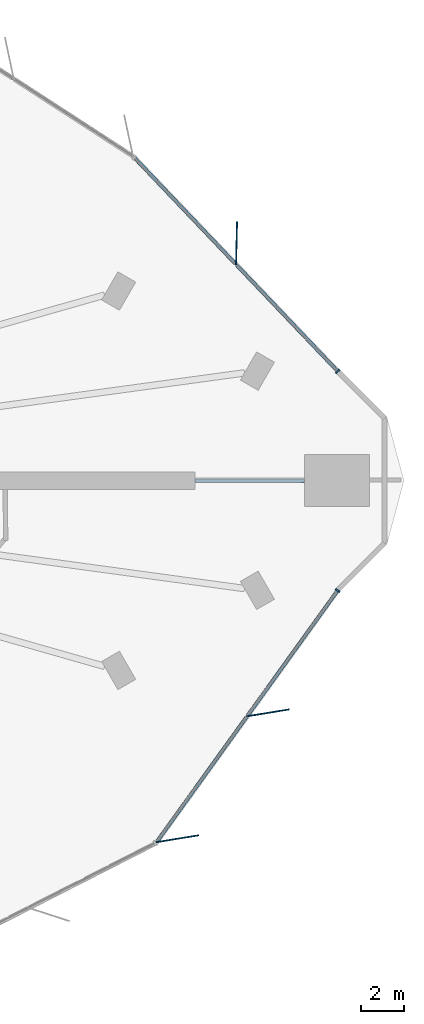
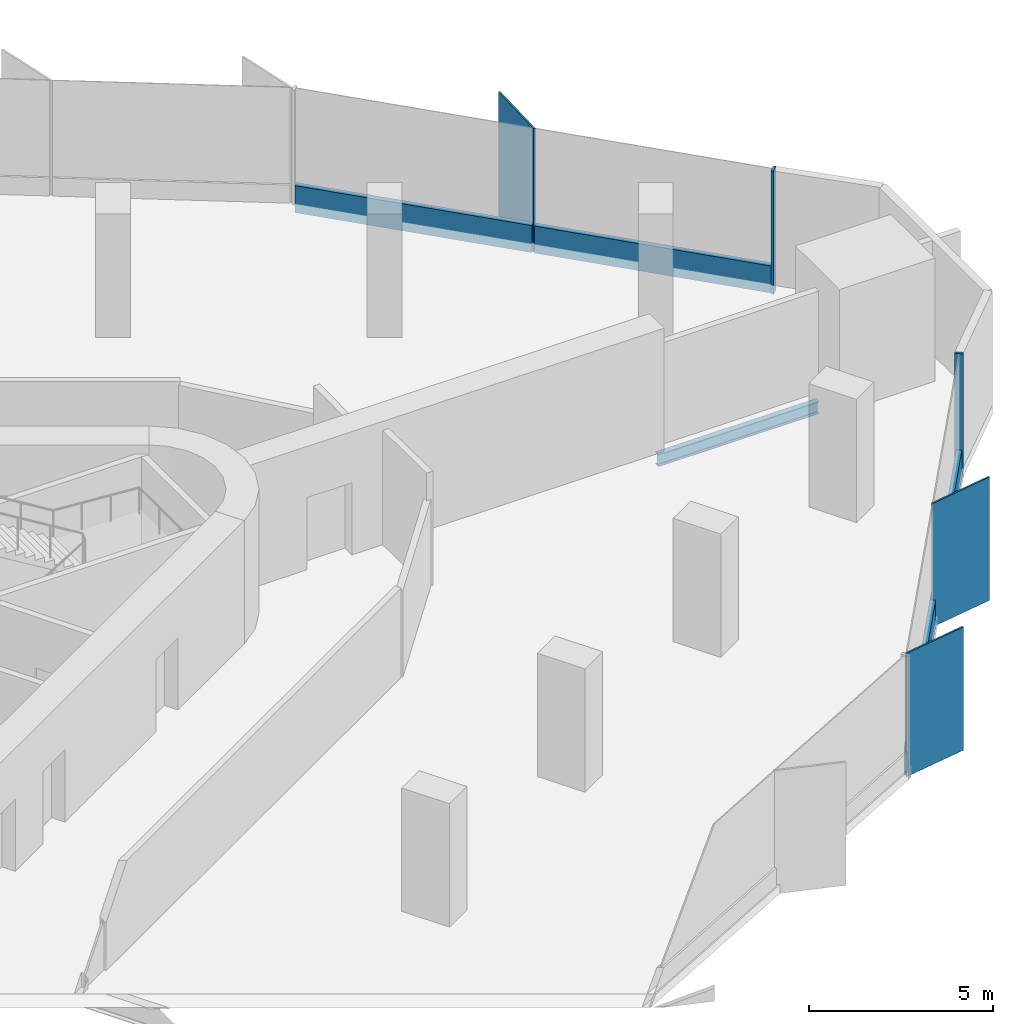
# One storey, part 6 of 14: 9 members, 1 beam, 2 elements without a shape of their own.
"""IFC4 building model written with IfcOpenShell, lengths in metres."""

import ifcopenshell
import ifcopenshell.guid

model = None  # the IFC model being written
_history = None  # IfcOwnerHistory: only IFC2X3 demands one
_inside = {}  # id of a spatial element -> (the spatial element, [elements in it])
_under = {}  # id of a project, library or spatial element -> (it, [spatial elements below it])
_declared = {}  # id of a project -> (the project, [libraries it declares])
_typed = {}  # id of a type object -> (the type object, [elements of that type])
_made_of = {}  # id of a material, layer set ... -> (it, [elements and type objects made of it])


def new_model(schema):
    """Start an empty IFC model of exactly this schema.

    Asked for "IFC4X3", IfcOpenShell would pick the latest addendum, in which some entities
    have other attributes; the version numbers below select the first issue.
    IFC2X3 requires an IfcOwnerHistory on every rooted entity: one is made here for all.
    """
    global model, _history
    if schema == "IFC4X3":
        model = ifcopenshell.file(schema_version=(4, 3, 0, 0))
    else:
        model = ifcopenshell.file(schema=schema)
    _inside.clear()
    _under.clear()
    _declared.clear()
    _typed.clear()
    _made_of.clear()
    _history = None
    if model.schema == "IFC2X3":
        org = make("IfcOrganization", Name="unknown")
        user = make(
            "IfcPersonAndOrganization",
            ThePerson=make("IfcPerson", FamilyName="unknown"),
            TheOrganization=org,
        )
        app = make(
            "IfcApplication",
            ApplicationDeveloper=org,
            Version="unknown",
            ApplicationFullName="unknown",
            ApplicationIdentifier="unknown",
        )
        _history = make(
            "IfcOwnerHistory",
            OwningUser=user,
            OwningApplication=app,
            ChangeAction="ADDED",
            CreationDate=0,
        )
    return model


def make(cls, **values):
    """One entity of the class cls with the attributes given. An attribute that is None is left unset."""
    return model.create_entity(
        cls, **{name: value for name, value in values.items() if value is not None}
    )


def rooted(cls, **values):
    """An entity with a GlobalId (a new one), such as an element, a storey or a relation."""
    return make(cls, GlobalId=ifcopenshell.guid.new(), OwnerHistory=_history, **values)


def si_unit(unit_type, name, prefix=None):
    """IfcSIUnit, for example si_unit("LENGTHUNIT", "METRE", prefix="MILLI")."""
    return make("IfcSIUnit", UnitType=unit_type, Prefix=prefix, Name=name)


def assignment(units):
    """IfcUnitAssignment: the units of a project."""
    return None if units is None else make("IfcUnitAssignment", Units=units)


def point(xyz):
    """IfcCartesianPoint."""
    return None if xyz is None else make("IfcCartesianPoint", Coordinates=xyz)


def direction(xyz):
    """IfcDirection."""
    return None if xyz is None else make("IfcDirection", DirectionRatios=xyz)


def frame(location, z_axis=None, x_axis=None):
    """IfcAxis2Placement3D, a coordinate frame: its origin and axes. An axis left out is left unset."""
    return make(
        "IfcAxis2Placement3D",
        Location=point(location),
        Axis=direction(z_axis),
        RefDirection=direction(x_axis),
    )


def frame_2d(location, x_axis=None):
    """IfcAxis2Placement2D, a coordinate frame in the plane: its origin and x axis."""
    return make(
        "IfcAxis2Placement2D", Location=point(location), RefDirection=direction(x_axis)
    )


def origin():
    """The frame at (0, 0, 0) with its axes left unset."""
    return frame((0.0, 0.0, 0.0))


def origin_2d():
    """The frame at (0, 0) in the plane with its x axis left unset."""
    return frame_2d((0.0, 0.0))


def place(relative_to, where):
    """IfcLocalPlacement: puts the frame where relative to a parent placement (None: the world)."""
    return make(
        "IfcLocalPlacement", PlacementRelTo=relative_to, RelativePlacement=where
    )


def context(
    kind, dimensions, precision=None, world=None, true_north=None, identifier=None
):
    """IfcGeometricRepresentationContext, for example the 3D "Model" context."""
    return make(
        "IfcGeometricRepresentationContext",
        ContextIdentifier=identifier,
        ContextType=kind,
        CoordinateSpaceDimension=dimensions,
        Precision=precision,
        WorldCoordinateSystem=world,
        TrueNorth=true_north,
    )


def subcontext(parent, identifier, kind, view, scale=None):
    """IfcGeometricRepresentationSubContext, for example "Body" below "Model"."""
    return make(
        "IfcGeometricRepresentationSubContext",
        ContextIdentifier=identifier,
        ContextType=kind,
        ParentContext=parent,
        TargetScale=scale,
        TargetView=view,
    )


def project(units=None, contexts=None):
    """IfcProject with its units and contexts."""
    return rooted(
        "IfcProject",
        Name="project",
        RepresentationContexts=contexts,
        UnitsInContext=assignment(units),
    )


def spatial(cls, under=None, at=None, **own):
    """A site, building, storey or space (cls), placed at a placement, below another one or the project."""
    s = rooted(cls, ObjectPlacement=at, **own)
    if under is not None:
        _under.setdefault(under.id(), (under, []))[1].append(s)
    return s


def profile(cls, at=None, kind="AREA", **sizes):
    """A parametric profile (cls). Its sizes go by their IFC names, for example OverallWidth=200.0."""
    return make(cls, ProfileType=kind, Position=at, **sizes)


def rectangle(**sizes):
    """IfcRectangleProfileDef."""
    return profile("IfcRectangleProfileDef", **sizes)


def i_section(**sizes):
    """IfcIShapeProfileDef."""
    return profile("IfcIShapeProfileDef", **sizes)


def extrude(swept, where, along, depth):
    """IfcExtrudedAreaSolid: the profile swept, set in the frame where, extruded along a direction by depth."""
    return make(
        "IfcExtrudedAreaSolid",
        SweptArea=swept,
        Position=where,
        ExtrudedDirection=direction(along),
        Depth=depth,
    )


def shape(context_of_items, identifier, shape_type, items):
    """IfcShapeRepresentation: the items that make up one representation, for example the "Body"."""
    return make(
        "IfcShapeRepresentation",
        ContextOfItems=context_of_items,
        RepresentationIdentifier=identifier,
        RepresentationType=shape_type,
        Items=items,
    )


def material(Name=None, Category=None):
    """IfcMaterial."""
    return make("IfcMaterial", Name=Name, Category=Category)


def material_profile(
    of_material, cross_section, Name=None, Category=None, Priority=None
):
    """IfcMaterialProfile: a cross section and its material."""
    return make(
        "IfcMaterialProfile",
        Name=Name,
        Material=of_material,
        Profile=cross_section,
        Priority=Priority,
        Category=Category,
    )


def profile_set(profiles, Name=None, composite=None):
    """IfcMaterialProfileSet."""
    return make(
        "IfcMaterialProfileSet",
        Name=Name,
        MaterialProfiles=profiles,
        CompositeProfile=composite,
    )


def made_of(thing, what):
    """Note that an element or type object is made of a material, layer set ...; save() writes the relation."""
    if what is not None:
        _made_of.setdefault(what.id(), (what, []))[1].append(thing)
    return thing


def type_object(cls, material=None, **own):
    """A type object (cls), such as IfcWallType, which elements share."""
    return made_of(rooted(cls, **own), material)


def element(
    cls,
    number,
    at=None,
    inside=None,
    cuts=None,
    type_object=None,
    material=None,
    context=None,
    identifier="Body",
    shape_type=None,
    held_by="IfcProductDefinitionShape",
    body=None,
    shapes=None,
    **own,
):
    """One element of the class cls, such as IfcWall. Its Tag is "e" and its number.

    at: its placement. inside: the storey or other place that contains it. cuts: it is an
    opening in that element (IfcRelVoidsElement). A single representation is given by context,
    identifier, shape_type and body (its items); several are given by shapes. held_by: the class
    of the entity that holds the representations. save() writes the other relations.
    """
    e = rooted(cls, Tag="e%d" % number, ObjectPlacement=at, **own)
    if body is not None:
        shapes = [shape(context, identifier, shape_type, body)]
    if shapes is not None:
        e.Representation = make(held_by, Representations=shapes)
    if inside is not None:
        _inside.setdefault(inside.id(), (inside, []))[1].append(e)
    if cuts is not None:
        rooted(
            "IfcRelVoidsElement", RelatingBuildingElement=cuts, RelatedOpeningElement=e
        )
    if type_object is not None:
        _typed.setdefault(type_object.id(), (type_object, []))[1].append(e)
    return made_of(e, material)


def aggregate(whole, parts):
    """IfcRelAggregates: a whole, such as a stair, and the parts it consists of."""
    return rooted("IfcRelAggregates", RelatingObject=whole, RelatedObjects=parts)


def save(model, path):
    """Write the relations noted so far, then the file.

    IfcRelAggregates (storeys below a building ...), IfcRelContainedInSpatialStructure (elements
    in a storey), IfcRelDefinesByType, IfcRelAssociatesMaterial and IfcRelDeclares: one each for
    every whole, place, type object, material and project.
    """
    for whole, parts in _under.values():
        aggregate(whole, parts)
    for where, things in _inside.values():
        rooted(
            "IfcRelContainedInSpatialStructure",
            RelatedElements=things,
            RelatingStructure=where,
        )
    for kind, things in _typed.values():
        rooted("IfcRelDefinesByType", RelatedObjects=things, RelatingType=kind)
    for what, things in _made_of.values():
        rooted("IfcRelAssociatesMaterial", RelatedObjects=things, RelatingMaterial=what)
    for by, libraries in _declared.values():
        rooted("IfcRelDeclares", RelatingContext=by, RelatedDefinitions=libraries)
    model.write(path)


model = new_model("IFC4")

# Units and contexts
model_context = context("Model", 3, precision=1e-05, world=origin(), true_north=direction((0.0, 1.0)))
body_context = subcontext(model_context, "Body", "Model", "MODEL_VIEW")
ifc_project = project(units=[si_unit("LENGTHUNIT", "METRE"), si_unit("AREAUNIT", "SQUARE_METRE"), si_unit("VOLUMEUNIT", "CUBIC_METRE"), si_unit("PLANEANGLEUNIT", "RADIAN"), si_unit("MASSUNIT", "GRAM", prefix="KILO")], contexts=[model_context])

# Site, building, storey
site_placement = place(None, origin())
site = spatial("IfcSite", under=ifc_project, at=site_placement, CompositionType="ELEMENT")
building_placement = place(site_placement, origin())
building = spatial("IfcBuilding", under=site, at=building_placement, Name="Tanit Gate Tower", CompositionType="ELEMENT")
storey_placement = place(building_placement, frame((0.0, 0.0, 111.10009765625)))
storey = spatial("IfcBuildingStorey", under=building, at=storey_placement, Name="L23", CompositionType="ELEMENT", Elevation=111.10009765625)

# Curtain wall, member
ifc_material_1 = material(Name="Aluminium bronze anodised and glass", Category="aluminium")
curtain_wall_type = type_object("IfcCurtainWallType", Name="Curtain wall typical low", PredefinedType="NOTDEFINED", material=ifc_material_1)
curtain_wall_1_placement = place(storey_placement, origin())
curtain_wall_1 = element("IfcCurtainWall", 1, at=curtain_wall_1_placement, inside=storey, type_object=curtain_wall_type, Name="Curtain wall L23 NE1", PredefinedType="NOTDEFINED")
ifc_material_2 = material(Name="Aluminium bronze anodised", Category="aluminium")
ifc_material_profile_1 = material_profile(ifc_material_2, rectangle(XDim=2.0, YDim=0.055908203125, at=origin_2d()), Name="56x2000 bronze fin mullion")
ifc_profile_set_1 = profile_set([ifc_material_profile_1], Name="Aluminium bronze anodised")
member_type_1 = type_object("IfcMemberType", Name="FIN MULLION 56x2000 bronze", PredefinedType="MULLION", material=ifc_profile_set_1)
member_1_placement = place(storey_placement, frame((36.09619140625, 10.9541015625, -0.300048828125), z_axis=(0.0, 0.0, 1.0), x_axis=(-0.024623071123, -0.999696806221, 0.0)))
member_1 = element("IfcMember", 2, at=member_1_placement, type_object=member_type_1, Name="Fin mullion L23 NE1.2", PredefinedType="MULLION", context=body_context, shape_type="SweptSolid", body=[
    extrude(rectangle(XDim=2.0, YDim=0.055908203125, at=origin_2d()), origin(), (0.0, 0.0, 1.0), 4.099853515625),
])

# Curtain wall, members
curtain_wall_2_placement = place(storey_placement, origin())
curtain_wall_2 = element("IfcCurtainWall", 3, at=curtain_wall_2_placement, inside=storey, type_object=curtain_wall_type, Name="Curtain wall L23 SE3", PredefinedType="NOTDEFINED")
member_2_placement = place(storey_placement, frame((33.36572265625, -16.519775390625, -0.300048828125), z_axis=(0.0, 0.0, 1.0), x_axis=(-0.986959384156, -0.160969481659, 0.0)))
member_2 = element("IfcMember", 4, at=member_2_placement, type_object=member_type_1, Name="Fin mullion L23 SE3.1", PredefinedType="MULLION", context=body_context, shape_type="SweptSolid", body=[
    extrude(rectangle(XDim=2.0, YDim=0.055908203125, at=origin_2d()), origin(), (0.0, 0.0, 1.0), 4.099853515625),
])
member_3_placement = place(storey_placement, frame((37.54541015625, -10.711181640625, -0.300048828125), z_axis=(0.0, 0.0, 1.0), x_axis=(-0.986959384156, -0.160969481659, 0.0)))
member_3 = element("IfcMember", 5, at=member_3_placement, type_object=member_type_1, Name="Fin mullion L23 SE3.2", PredefinedType="MULLION", context=body_context, shape_type="SweptSolid", body=[
    extrude(rectangle(XDim=2.0, YDim=0.055908203125, at=origin_2d()), origin(), (0.0, 0.0, 1.0), 4.099853515625),
])

# Member
ifc_material_3 = material(Name="Aluminium bronze anodised", Category="aluminium")
ifc_material_profile_2 = material_profile(ifc_material_3, rectangle(XDim=0.239990234375, YDim=0.080078125, at=origin_2d()), Name="80x240 bronze mullion")
ifc_profile_set_2 = profile_set([ifc_material_profile_2], Name="Aluminium bronze anodised")
member_type_2 = type_object("IfcMemberType", Name="Mullion 80x240 typical low", PredefinedType="MULLION", material=ifc_profile_set_2)
member_4_placement = place(storey_placement, frame((40.76220703125, 5.05029296875, -0.300048828125), z_axis=(0.0, 0.0, 1.0), x_axis=(-0.724303531374, -0.689481250245, 0.0)))
member_4 = element("IfcMember", 6, at=member_4_placement, type_object=member_type_2, Name="Mullion L23 NE1.1", PredefinedType="MULLION", context=body_context, shape_type="SweptSolid", body=[
    extrude(rectangle(XDim=0.239990234375, YDim=0.080078125, at=origin_2d()), origin(), (0.0, 0.0, 1.0), 4.099853515625),
])

member_5_placement = place(storey_placement, frame((40.760498046875, -5.059814453125, -0.300048828125), z_axis=(0.0, 0.0, 1.0), x_axis=(-0.811708285338, 0.584063061247, 0.0)))
member_5 = element("IfcMember", 7, at=member_5_placement, type_object=member_type_2, Name="Mullion L23 SE3.3", PredefinedType="MULLION", context=body_context, shape_type="SweptSolid", body=[
    extrude(rectangle(XDim=0.239990234375, YDim=0.080078125, at=origin_2d()), origin(), (0.0, 0.0, 1.0), 4.099853515625),
])

# Beam
ifc_material_4 = material(Name="Steel S355", Category="steel")
ifc_material_profile_3 = material_profile(ifc_material_4, i_section(OverallWidth=0.179931640625, OverallDepth=0.39990234375, WebThickness=0.008544921875, FlangeThickness=0.013427734375, FilletRadius=0.02099609375, at=origin_2d()), Name="IPE 400")
ifc_profile_set_3 = profile_set([ifc_material_profile_3], Name="Steel S355")
beam_type = type_object("IfcBeamType", Name="RADIAL GIRDER IPE 400 S355", PredefinedType="BEAM", material=ifc_profile_set_3)
beam_placement = place(storey_placement, frame((39.22314453125, 0.0, -0.5), z_axis=(-1.0, 0.0, 0.0), x_axis=(0.0, -1.0, 0.0)))
element("IfcBeam", 8, at=beam_placement, inside=storey, type_object=beam_type, Name="RADIAL GIRDER", PredefinedType="BEAM", context=body_context, shape_type="SweptSolid", body=[
    extrude(i_section(OverallWidth=0.179931640625, OverallDepth=0.39990234375, WebThickness=0.008544921875, FlangeThickness=0.013427734375, FilletRadius=0.02099609375, at=origin_2d()), origin(), (0.0, 0.0, 1.0), 5.046630859375),
])

# Member
ifc_material_5 = material(Name="Aluminium bronze anodised", Category="aluminium")
ifc_material_profile_4 = material_profile(ifc_material_5, rectangle(XDim=0.159912109375, YDim=0.89990234375, at=origin_2d()), Name="160x900 bronze transom")
ifc_profile_set_4 = profile_set([ifc_material_profile_4], Name="Aluminium bronze anodised")
member_type_3 = type_object("IfcMemberType", Name="Transom 160x900 typical low", PredefinedType="USERDEFINED", material=ifc_profile_set_4)
member_6_placement = place(storey_placement, frame((40.734619140625, 5.079345703125, 0.14990234375), z_axis=(-0.689477400789, 0.72430719574, 0.0), x_axis=(-0.72430719574, -0.689477400789, 0.0)))
member_6 = element("IfcMember", 9, at=member_6_placement, type_object=member_type_3, Name="Transom L23 NE1.1", ObjectType="TRANSOM", PredefinedType="USERDEFINED", context=body_context, shape_type="SweptSolid", body=[
    extrude(rectangle(XDim=0.159912109375, YDim=0.89990234375, at=origin_2d()), origin(), (0.0, 0.0, 1.0), 6.72216796875),
])

member_7_placement = place(storey_placement, frame((36.044677734375, 10.006103515625, 0.14990234375), z_axis=(-0.689495538455, 0.724289929829, 0.0), x_axis=(-0.724289929829, -0.689495538455, 0.0)))
member_7 = element("IfcMember", 10, at=member_7_placement, type_object=member_type_3, Name="Transom L23 NE1.2", ObjectType="TRANSOM", PredefinedType="USERDEFINED", context=body_context, shape_type="SweptSolid", body=[
    extrude(rectangle(XDim=0.159912109375, YDim=0.89990234375, at=origin_2d()), origin(), (0.0, 0.0, 1.0), 6.721923828125),
])

aggregate(curtain_wall_1, [member_4, member_1, member_6, member_7])

member_8_placement = place(storey_placement, frame((32.424560546875, -16.644775390625, 0.14990234375), z_axis=(0.584044751567, 0.811721459718, 0.0), x_axis=(-0.811721459718, 0.584044751567, 0.0)))
member_8 = element("IfcMember", 11, at=member_8_placement, type_object=member_type_3, Name="Transom L23 SE3.1", ObjectType="TRANSOM", PredefinedType="USERDEFINED", context=body_context, shape_type="SweptSolid", body=[
    extrude(rectangle(XDim=0.159912109375, YDim=0.89990234375, at=origin_2d()), origin(), (0.0, 0.0, 1.0), 7.076171875),
])

member_9_placement = place(storey_placement, frame((36.604248046875, -10.8359375, 0.14990234375), z_axis=(0.584061108529, 0.811709690409, 0.0), x_axis=(-0.811709690409, 0.584061108529, 0.0)))
member_9 = element("IfcMember", 12, at=member_9_placement, type_object=member_type_3, Name="Transom L23 SE3.2", ObjectType="TRANSOM", PredefinedType="USERDEFINED", context=body_context, shape_type="SweptSolid", body=[
    extrude(rectangle(XDim=0.159912109375, YDim=0.89990234375, at=origin_2d()), origin(), (0.0, 0.0, 1.0), 7.075927734375),
])

aggregate(curtain_wall_2, [member_2, member_3, member_5, member_8, member_9])

save(model, "model.ifc")
